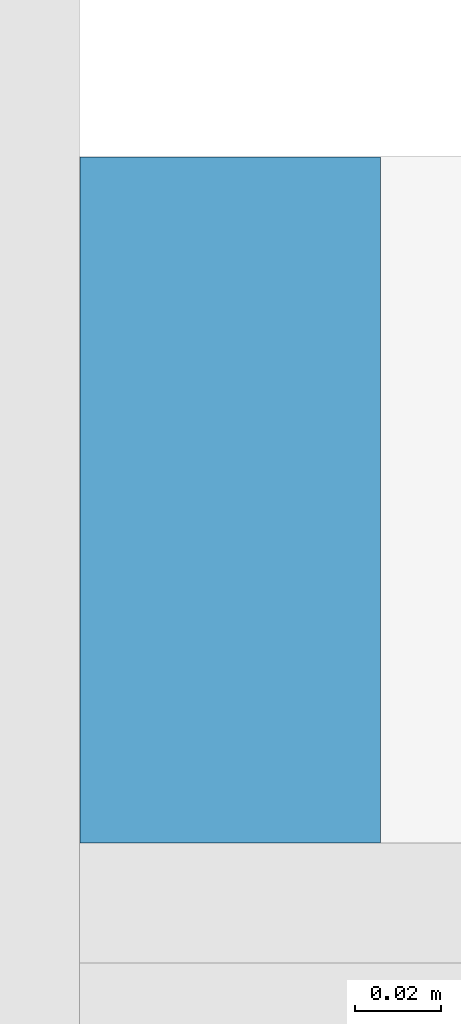
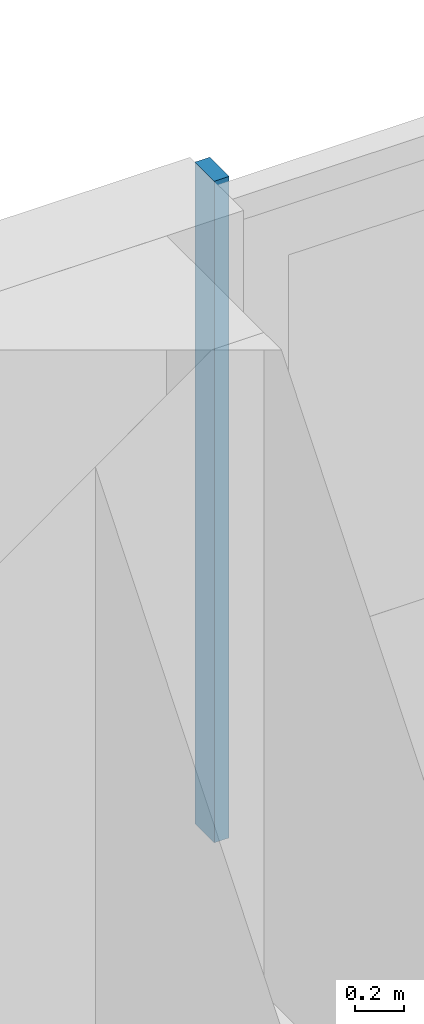
# One storey, part 9 of 29: 1 member, 1 element without a shape of its own.
"""IFC4 building model written with IfcOpenShell, lengths in metres."""

from ifc_helpers import new_model, si_unit, direction, frame, origin, origin_2d, place, context, subcontext, project, spatial, rectangle, extrude, material, material_profile, profile_set, type_object, element, aggregate, save


model = new_model("IFC4")

# Units and contexts
model_context = context("Model", 3, precision=1e-05, world=origin(), true_north=direction((0.0, 1.0)))
body_context = subcontext(model_context, "Body", "Model", "MODEL_VIEW")
ifc_project = project(units=[si_unit("LENGTHUNIT", "METRE"), si_unit("AREAUNIT", "SQUARE_METRE"), si_unit("VOLUMEUNIT", "CUBIC_METRE"), si_unit("PLANEANGLEUNIT", "RADIAN"), si_unit("MASSUNIT", "GRAM", prefix="KILO")], contexts=[model_context])

# Site, building, storey
site_placement = place(None, origin())
site = spatial("IfcSite", under=ifc_project, at=site_placement, CompositionType="ELEMENT")
building_placement = place(site_placement, origin())
building = spatial("IfcBuilding", under=site, at=building_placement, Name="Saffron Gate Tower", CompositionType="ELEMENT")
storey_placement = place(building_placement, frame((0.0, 0.0, 187.050048828125)))
storey = spatial("IfcBuildingStorey", under=building, at=storey_placement, Name="L46", CompositionType="ELEMENT", Elevation=187.050048828125)

# Curtain wall, member
ifc_material = material(Name="Aluminium, bronze anodised", Category="aluminium")
curtain_wall_type = type_object("IfcCurtainWallType", Name="CWS3 curtain wall rear facade", PredefinedType="NOTDEFINED", material=ifc_material)
curtain_wall_placement = place(storey_placement, origin())
curtain_wall = element("IfcCurtainWall", 1, at=curtain_wall_placement, inside=storey, type_object=curtain_wall_type, Name="CWS3 run 7", PredefinedType="NOTDEFINED")
ifc_material_profile = material_profile(ifc_material, rectangle(XDim=0.159912109375, YDim=0.070068359375, at=origin_2d()))
ifc_profile_set = profile_set([ifc_material_profile], Name="Aluminium, bronze anodised")
member_type = type_object("IfcMemberType", Name="CWS3 mullion 70x160", PredefinedType="MULLION", material=ifc_profile_set)
member_placement = place(storey_placement, frame((108.60009765625, 75.52001953125, 0.0), z_axis=(0.0, 0.0, 1.0), x_axis=(0.0, -1.0, 0.0)))
member = element("IfcMember", 2, at=member_placement, type_object=member_type, Name="CWS3 mullion 3", PredefinedType="MULLION", context=body_context, shape_type="SweptSolid", body=[
    extrude(rectangle(XDim=0.159912109375, YDim=0.070068359375, at=origin_2d()), origin(), (0.0, 0.0, 1.0), 3.320068359375),
])
aggregate(curtain_wall, [member])

save(model, "model.ifc")
